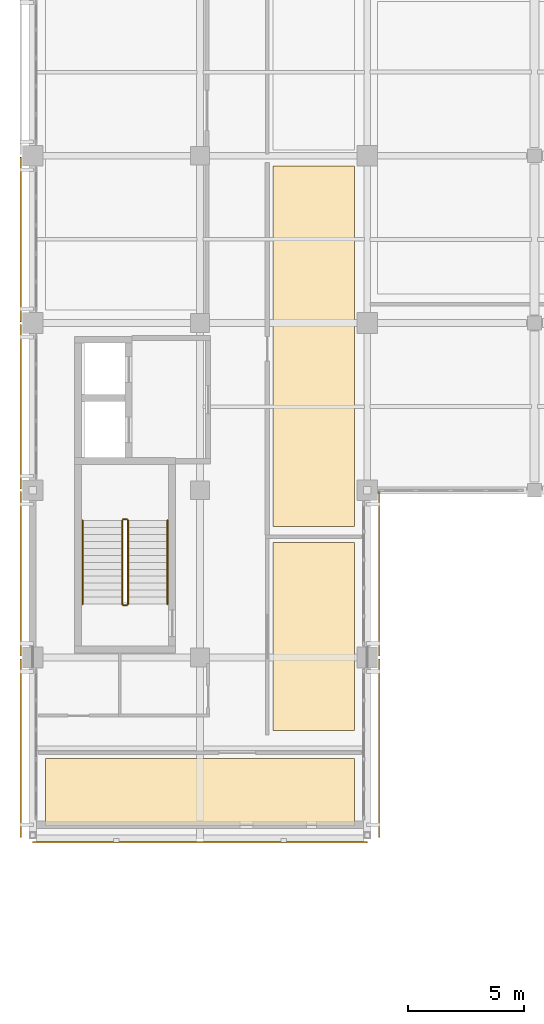
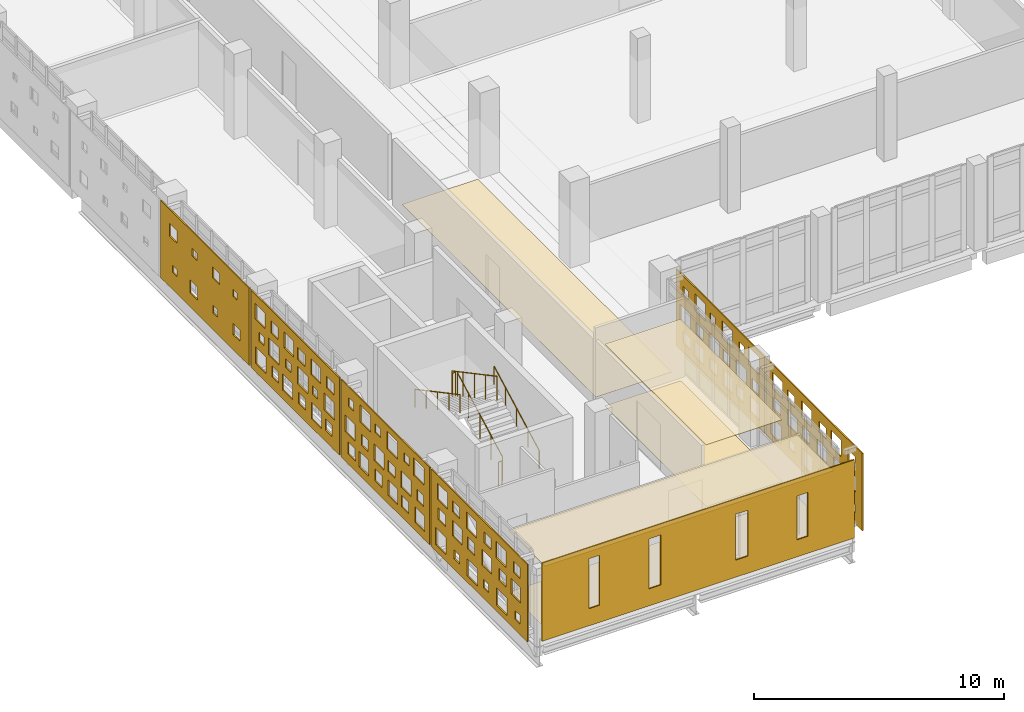
# One storey, part 55 of 62: 12 coverings, 6 railings.
"""IFC4 building model written with IfcOpenShell, lengths in metres."""

from ifc_helpers import new_model, si_unit, direction, frame, origin, origin_2d, place, context, subcontext, project, spatial, polyline, circle, outline, extrude, material, layer, layer_set, type_object, element, save


model = new_model("IFC4")

# Units and contexts
model_context = context("Model", 3, precision=1e-05, world=origin(), true_north=direction((0.0, 1.0)))
body_context = subcontext(model_context, "Body", "Model", "MODEL_VIEW")
ifc_project = project(units=[si_unit("LENGTHUNIT", "METRE"), si_unit("AREAUNIT", "SQUARE_METRE"), si_unit("VOLUMEUNIT", "CUBIC_METRE"), si_unit("PLANEANGLEUNIT", "RADIAN"), si_unit("MASSUNIT", "GRAM", prefix="KILO")], contexts=[model_context])

# Site, building, storey
site_placement = place(None, origin())
site = spatial("IfcSite", under=ifc_project, at=site_placement, CompositionType="ELEMENT")
building_placement = place(site_placement, origin())
building = spatial("IfcBuilding", under=site, at=building_placement, Name="Valkovuoma Quantum and Materials Research Institute", CompositionType="ELEMENT")
storey_placement = place(building_placement, frame((0.0, 0.0, 13.1201171875)))
storey = spatial("IfcBuildingStorey", under=building, at=storey_placement, Name="L03", CompositionType="ELEMENT", Elevation=13.1201171875)

# Coverings
ifc_material_1 = material(Name="Cleanable acoustic mineral-fibre suspended ceiling", Category="masonry")
ifc_layer_1 = layer(ifc_material_1, 0.02490234375)
ifc_layer_set_1 = layer_set([ifc_layer_1], Name="Cleanable acoustic mineral-fibre suspended ceiling")
covering_type_1 = type_object("IfcCoveringType", Name="Cov-CEIL-01", PredefinedType="CEILING", material=ifc_layer_set_1)
covering_1_placement = place(storey_placement, frame((0.0, 0.0, 3.0)))
element("IfcCovering", 1, at=covering_1_placement, inside=storey, type_object=covering_type_1, Name="L03 acoustic ceiling 0081", PredefinedType="CEILING", context=body_context, shape_type="SweptSolid", body=[
    extrude(outline(polyline([(0.550048828125, 21.550048828125), (13.85009765625, 21.550048828125), (13.85009765625, 24.449951171875), (0.550048828125, 24.449951171875), (0.550048828125, 21.550048828125)])), origin(), (0.0, 0.0, 1.0), 0.02490234375),
])
covering_2_placement = place(storey_placement, frame((0.0, 0.0, 3.0)))
element("IfcCovering", 2, at=covering_2_placement, inside=storey, type_object=covering_type_1, Name="L03 acoustic ceiling 0085", PredefinedType="CEILING", context=body_context, shape_type="SweptSolid", body=[
    extrude(outline(polyline([(10.35009765625, 25.64990234375), (13.85009765625, 25.64990234375), (13.85009765625, 33.75), (10.35009765625, 33.75), (10.35009765625, 25.64990234375)])), origin(), (0.0, 0.0, 1.0), 0.02490234375),
])
ifc_material_2 = material(Name="Seamless dissipative laboratory resin flooring", Category="masonry")
ifc_layer_2 = layer(ifc_material_2, 0.014892578125)
ifc_layer_set_2 = layer_set([ifc_layer_2], Name="Seamless dissipative laboratory resin flooring")
covering_type_2 = type_object("IfcCoveringType", Name="Cov-FLOR-01", PredefinedType="FLOORING", material=ifc_layer_set_2)
covering_3_placement = place(storey_placement, origin())
element("IfcCovering", 3, at=covering_3_placement, inside=storey, type_object=covering_type_2, Name="L03 resin flooring 0081", PredefinedType="FLOORING", context=body_context, shape_type="SweptSolid", body=[
    extrude(outline(polyline([(0.550048828125, 21.550048828125), (13.85009765625, 21.550048828125), (13.85009765625, 24.449951171875), (0.550048828125, 24.449951171875), (0.550048828125, 21.550048828125)])), origin(), (0.0, 0.0, 1.0), 0.014892578125),
])
covering_4_placement = place(storey_placement, origin())
element("IfcCovering", 4, at=covering_4_placement, inside=storey, type_object=covering_type_2, Name="L03 resin flooring 0085", PredefinedType="FLOORING", context=body_context, shape_type="SweptSolid", body=[
    extrude(outline(polyline([(10.35009765625, 25.64990234375), (13.85009765625, 25.64990234375), (13.85009765625, 33.75), (10.35009765625, 33.75), (10.35009765625, 25.64990234375)])), origin(), (0.0, 0.0, 1.0), 0.014892578125),
])
covering_5_placement = place(storey_placement, origin())
element("IfcCovering", 5, at=covering_5_placement, inside=storey, type_object=covering_type_2, Name="L03 resin flooring 0086", PredefinedType="FLOORING", context=body_context, shape_type="SweptSolid", body=[
    extrude(outline(polyline([(10.35009765625, 34.449951171875), (13.85009765625, 34.449951171875), (13.85009765625, 49.949951171875), (10.35009765625, 49.949951171875), (10.35009765625, 34.449951171875)])), origin(), (0.0, 0.0, 1.0), 0.014892578125),
])
ifc_material_3 = material(Name="White powder-coated aluminium architectural panel", Category="aluminium")
ifc_layer_3 = layer(ifc_material_3, 0.054931640625)
ifc_layer_set_3 = layer_set([ifc_layer_3], Name="White powder-coated aluminium architectural panel")
covering_type_3 = type_object("IfcCoveringType", Name="Cov-PERF-DENSE", PredefinedType="CLADDING", material=ifc_layer_set_3)
covering_6_placement = place(storey_placement, frame((-0.52001953125, 21.06005859375, 0.019775390625), z_axis=(0.0, 0.0, 1.0), x_axis=(0.0, 1.0, 0.0)))
element("IfcCovering", 6, at=covering_6_placement, inside=storey, type_object=covering_type_3, Name="L03 graduated perforated white screen W-0025", PredefinedType="CLADDING", context=body_context, shape_type="SweptSolid", body=[
    extrude(outline(polyline([(0.0, 0.0), (7.679931640625, 0.0), (7.679931640625, 3.77001953125), (0.0, 3.77001953125), (0.0, 0.0)]), holes=[polyline([(0.578369140625, 0.514892578125), (0.578369140625, 0.93505859375), (0.998291015625, 0.93505859375), (0.998291015625, 0.514892578125), (0.578369140625, 0.514892578125)]), polyline([(0.5283203125, 1.554931640625), (0.5283203125, 2.31494140625), (1.288330078125, 2.31494140625), (1.288330078125, 1.554931640625), (0.5283203125, 1.554931640625)]), polyline([(0.578369140625, 2.72509765625), (0.578369140625, 3.264892578125), (1.118408203125, 3.264892578125), (1.118408203125, 2.72509765625), (0.578369140625, 2.72509765625)]), polyline([(1.625, 0.304931640625), (1.625, 1.14501953125), (2.465087890625, 1.14501953125), (2.465087890625, 0.304931640625), (1.625, 0.304931640625)]), polyline([(1.695068359375, 1.64501953125), (1.695068359375, 2.22509765625), (2.27490234375, 2.22509765625), (2.27490234375, 1.64501953125), (1.695068359375, 1.64501953125)]), polyline([(1.705078125, 2.594970703125), (1.705078125, 3.39501953125), (2.5048828125, 3.39501953125), (2.5048828125, 2.594970703125), (1.705078125, 2.594970703125)]), polyline([(3.091796875, 0.514892578125), (3.091796875, 0.93505859375), (3.51171875, 0.93505859375), (3.51171875, 0.514892578125), (3.091796875, 0.514892578125)]), polyline([(2.86181640625, 1.554931640625), (2.86181640625, 2.31494140625), (3.62158203125, 2.31494140625), (3.62158203125, 1.554931640625), (2.86181640625, 1.554931640625)]), polyline([(2.91162109375, 2.72509765625), (2.91162109375, 3.264892578125), (3.45166015625, 3.264892578125), (3.45166015625, 2.72509765625), (2.91162109375, 2.72509765625)]), polyline([(3.958251953125, 0.304931640625), (3.958251953125, 1.14501953125), (4.79833984375, 1.14501953125), (4.79833984375, 0.304931640625), (3.958251953125, 0.304931640625)]), polyline([(4.208251953125, 1.64501953125), (4.208251953125, 2.22509765625), (4.788330078125, 2.22509765625), (4.788330078125, 1.64501953125), (4.208251953125, 1.64501953125)]), polyline([(4.038330078125, 2.594970703125), (4.038330078125, 3.39501953125), (4.83837890625, 3.39501953125), (4.83837890625, 2.594970703125), (4.038330078125, 2.594970703125)]), polyline([(5.425048828125, 0.514892578125), (5.425048828125, 0.93505859375), (5.844970703125, 0.93505859375), (5.844970703125, 0.514892578125), (5.425048828125, 0.514892578125)]), polyline([(5.195068359375, 1.554931640625), (5.195068359375, 2.31494140625), (5.955078125, 2.31494140625), (5.955078125, 1.554931640625), (5.195068359375, 1.554931640625)]), polyline([(5.425048828125, 2.72509765625), (5.425048828125, 3.264892578125), (5.965087890625, 3.264892578125), (5.965087890625, 2.72509765625), (5.425048828125, 2.72509765625)]), polyline([(6.4716796875, 0.304931640625), (6.4716796875, 1.14501953125), (7.311767578125, 1.14501953125), (7.311767578125, 0.304931640625), (6.4716796875, 0.304931640625)]), polyline([(6.541748046875, 1.64501953125), (6.541748046875, 2.22509765625), (7.12158203125, 2.22509765625), (7.12158203125, 1.64501953125), (6.541748046875, 1.64501953125)]), polyline([(6.37158203125, 2.594970703125), (6.37158203125, 3.39501953125), (7.171630859375, 3.39501953125), (7.171630859375, 2.594970703125), (6.37158203125, 2.594970703125)])]), frame((0.0, 0.02734375, 0.0), z_axis=(0.0, -1.0, 0.0), x_axis=(1.0, 0.0, 0.0)), (0.0, 0.0, 1.0), 0.054931640625),
])
covering_7_placement = place(storey_placement, frame((14.919921875, 21.06005859375, 0.019775390625), z_axis=(0.0, 0.0, 1.0), x_axis=(0.0, 1.0, 0.0)))
element("IfcCovering", 7, at=covering_7_placement, inside=storey, type_object=covering_type_3, Name="L03 graduated perforated white screen E-0026", PredefinedType="CLADDING", context=body_context, shape_type="SweptSolid", body=[
    extrude(outline(polyline([(0.0, 0.0), (7.679931640625, 0.0), (7.679931640625, 3.77001953125), (0.0, 3.77001953125), (0.0, 0.0)]), holes=[polyline([(0.578369140625, 0.514892578125), (0.578369140625, 0.93505859375), (0.998291015625, 0.93505859375), (0.998291015625, 0.514892578125), (0.578369140625, 0.514892578125)]), polyline([(0.5283203125, 1.554931640625), (0.5283203125, 2.31494140625), (1.288330078125, 2.31494140625), (1.288330078125, 1.554931640625), (0.5283203125, 1.554931640625)]), polyline([(0.578369140625, 2.72509765625), (0.578369140625, 3.264892578125), (1.118408203125, 3.264892578125), (1.118408203125, 2.72509765625), (0.578369140625, 2.72509765625)]), polyline([(1.625, 0.304931640625), (1.625, 1.14501953125), (2.465087890625, 1.14501953125), (2.465087890625, 0.304931640625), (1.625, 0.304931640625)]), polyline([(1.695068359375, 1.64501953125), (1.695068359375, 2.22509765625), (2.27490234375, 2.22509765625), (2.27490234375, 1.64501953125), (1.695068359375, 1.64501953125)]), polyline([(1.705078125, 2.594970703125), (1.705078125, 3.39501953125), (2.5048828125, 3.39501953125), (2.5048828125, 2.594970703125), (1.705078125, 2.594970703125)]), polyline([(3.091796875, 0.514892578125), (3.091796875, 0.93505859375), (3.51171875, 0.93505859375), (3.51171875, 0.514892578125), (3.091796875, 0.514892578125)]), polyline([(2.86181640625, 1.554931640625), (2.86181640625, 2.31494140625), (3.62158203125, 2.31494140625), (3.62158203125, 1.554931640625), (2.86181640625, 1.554931640625)]), polyline([(2.91162109375, 2.72509765625), (2.91162109375, 3.264892578125), (3.45166015625, 3.264892578125), (3.45166015625, 2.72509765625), (2.91162109375, 2.72509765625)]), polyline([(3.958251953125, 0.304931640625), (3.958251953125, 1.14501953125), (4.79833984375, 1.14501953125), (4.79833984375, 0.304931640625), (3.958251953125, 0.304931640625)]), polyline([(4.208251953125, 1.64501953125), (4.208251953125, 2.22509765625), (4.788330078125, 2.22509765625), (4.788330078125, 1.64501953125), (4.208251953125, 1.64501953125)]), polyline([(4.038330078125, 2.594970703125), (4.038330078125, 3.39501953125), (4.83837890625, 3.39501953125), (4.83837890625, 2.594970703125), (4.038330078125, 2.594970703125)]), polyline([(5.425048828125, 0.514892578125), (5.425048828125, 0.93505859375), (5.844970703125, 0.93505859375), (5.844970703125, 0.514892578125), (5.425048828125, 0.514892578125)]), polyline([(5.195068359375, 1.554931640625), (5.195068359375, 2.31494140625), (5.955078125, 2.31494140625), (5.955078125, 1.554931640625), (5.195068359375, 1.554931640625)]), polyline([(5.425048828125, 2.72509765625), (5.425048828125, 3.264892578125), (5.965087890625, 3.264892578125), (5.965087890625, 2.72509765625), (5.425048828125, 2.72509765625)]), polyline([(6.4716796875, 0.304931640625), (6.4716796875, 1.14501953125), (7.311767578125, 1.14501953125), (7.311767578125, 0.304931640625), (6.4716796875, 0.304931640625)]), polyline([(6.541748046875, 1.64501953125), (6.541748046875, 2.22509765625), (7.12158203125, 2.22509765625), (7.12158203125, 1.64501953125), (6.541748046875, 1.64501953125)]), polyline([(6.37158203125, 2.594970703125), (6.37158203125, 3.39501953125), (7.171630859375, 3.39501953125), (7.171630859375, 2.594970703125), (6.37158203125, 2.594970703125)])]), frame((0.0, 0.02734375, 0.0), z_axis=(0.0, -1.0, 0.0), x_axis=(1.0, 0.0, 0.0)), (0.0, 0.0, 1.0), 0.054931640625),
])
covering_8_placement = place(storey_placement, frame((-0.52001953125, 28.860107421875, 0.019775390625), z_axis=(0.0, 0.0, 1.0), x_axis=(0.0, 1.0, 0.0)))
element("IfcCovering", 8, at=covering_8_placement, inside=storey, type_object=covering_type_3, Name="L03 graduated perforated white screen W-0027", PredefinedType="CLADDING", context=body_context, shape_type="SweptSolid", body=[
    extrude(outline(polyline([(0.0, 0.0), (7.079833984375, 0.0), (7.079833984375, 3.77001953125), (0.0, 3.77001953125), (0.0, 0.0)]), holes=[polyline([(0.418212890625, 0.39501953125), (0.418212890625, 1.155029296875), (1.17822265625, 1.155029296875), (1.17822265625, 0.39501953125), (0.418212890625, 0.39501953125)]), polyline([(0.46826171875, 1.56494140625), (0.46826171875, 2.10498046875), (1.00830078125, 2.10498046875), (1.00830078125, 1.56494140625), (0.46826171875, 1.56494140625)]), polyline([(0.438232421875, 2.625), (0.438232421875, 3.465087890625), (1.2783203125, 3.465087890625), (1.2783203125, 2.625), (0.438232421875, 2.625)]), polyline([(1.6650390625, 0.485107421875), (1.6650390625, 1.06494140625), (2.2451171875, 1.06494140625), (2.2451171875, 0.485107421875), (1.6650390625, 0.485107421875)]), polyline([(1.4951171875, 1.43505859375), (1.4951171875, 2.235107421875), (2.294921875, 2.235107421875), (2.294921875, 1.43505859375), (1.4951171875, 1.43505859375)]), polyline([(1.625, 2.8349609375), (1.625, 3.2548828125), (2.044921875, 3.2548828125), (2.044921875, 2.8349609375), (1.625, 2.8349609375)]), polyline([(2.5517578125, 0.39501953125), (2.5517578125, 1.155029296875), (3.311767578125, 1.155029296875), (3.311767578125, 0.39501953125), (2.5517578125, 0.39501953125)]), polyline([(2.78173828125, 1.56494140625), (2.78173828125, 2.10498046875), (3.32177734375, 2.10498046875), (3.32177734375, 1.56494140625), (2.78173828125, 1.56494140625)]), polyline([(2.57177734375, 2.625), (2.57177734375, 3.465087890625), (3.41162109375, 3.465087890625), (3.41162109375, 2.625), (2.57177734375, 2.625)]), polyline([(3.79833984375, 0.485107421875), (3.79833984375, 1.06494140625), (4.37841796875, 1.06494140625), (4.37841796875, 0.485107421875), (3.79833984375, 0.485107421875)]), polyline([(3.62841796875, 1.43505859375), (3.62841796875, 2.235107421875), (4.42822265625, 2.235107421875), (4.42822265625, 1.43505859375), (3.62841796875, 1.43505859375)]), polyline([(3.938232421875, 2.8349609375), (3.938232421875, 3.2548828125), (4.3583984375, 3.2548828125), (4.3583984375, 2.8349609375), (3.938232421875, 2.8349609375)]), polyline([(4.864990234375, 0.39501953125), (4.864990234375, 1.155029296875), (5.625, 1.155029296875), (5.625, 0.39501953125), (4.864990234375, 0.39501953125)]), polyline([(4.9150390625, 1.56494140625), (4.9150390625, 2.10498046875), (5.455078125, 2.10498046875), (5.455078125, 1.56494140625), (4.9150390625, 1.56494140625)]), polyline([(4.705078125, 2.625), (4.705078125, 3.465087890625), (5.544921875, 3.465087890625), (5.544921875, 2.625), (4.705078125, 2.625)]), polyline([(5.931640625, 0.485107421875), (5.931640625, 1.06494140625), (6.51171875, 1.06494140625), (6.51171875, 0.485107421875), (5.931640625, 0.485107421875)]), polyline([(5.941650390625, 1.43505859375), (5.941650390625, 2.235107421875), (6.74169921875, 2.235107421875), (6.74169921875, 1.43505859375), (5.941650390625, 1.43505859375)]), polyline([(6.07177734375, 2.8349609375), (6.07177734375, 3.2548828125), (6.49169921875, 3.2548828125), (6.49169921875, 2.8349609375), (6.07177734375, 2.8349609375)])]), frame((0.0, 0.02734375, 0.0), z_axis=(0.0, -1.0, 0.0), x_axis=(1.0, 0.0, 0.0)), (0.0, 0.0, 1.0), 0.054931640625),
])
covering_9_placement = place(storey_placement, frame((14.919921875, 28.860107421875, 0.019775390625), z_axis=(0.0, 0.0, 1.0), x_axis=(0.0, 1.0, 0.0)))
element("IfcCovering", 9, at=covering_9_placement, inside=storey, type_object=covering_type_3, Name="L03 graduated perforated white screen E-0028", PredefinedType="CLADDING", context=body_context, shape_type="SweptSolid", body=[
    extrude(outline(polyline([(0.0, 0.0), (7.079833984375, 0.0), (7.079833984375, 3.77001953125), (0.0, 3.77001953125), (0.0, 0.0)]), holes=[polyline([(0.418212890625, 0.39501953125), (0.418212890625, 1.155029296875), (1.17822265625, 1.155029296875), (1.17822265625, 0.39501953125), (0.418212890625, 0.39501953125)]), polyline([(0.46826171875, 1.56494140625), (0.46826171875, 2.10498046875), (1.00830078125, 2.10498046875), (1.00830078125, 1.56494140625), (0.46826171875, 1.56494140625)]), polyline([(0.438232421875, 2.625), (0.438232421875, 3.465087890625), (1.2783203125, 3.465087890625), (1.2783203125, 2.625), (0.438232421875, 2.625)]), polyline([(1.6650390625, 0.485107421875), (1.6650390625, 1.06494140625), (2.2451171875, 1.06494140625), (2.2451171875, 0.485107421875), (1.6650390625, 0.485107421875)]), polyline([(1.4951171875, 1.43505859375), (1.4951171875, 2.235107421875), (2.294921875, 2.235107421875), (2.294921875, 1.43505859375), (1.4951171875, 1.43505859375)]), polyline([(1.625, 2.8349609375), (1.625, 3.2548828125), (2.044921875, 3.2548828125), (2.044921875, 2.8349609375), (1.625, 2.8349609375)]), polyline([(2.5517578125, 0.39501953125), (2.5517578125, 1.155029296875), (3.311767578125, 1.155029296875), (3.311767578125, 0.39501953125), (2.5517578125, 0.39501953125)]), polyline([(2.78173828125, 1.56494140625), (2.78173828125, 2.10498046875), (3.32177734375, 2.10498046875), (3.32177734375, 1.56494140625), (2.78173828125, 1.56494140625)]), polyline([(2.57177734375, 2.625), (2.57177734375, 3.465087890625), (3.41162109375, 3.465087890625), (3.41162109375, 2.625), (2.57177734375, 2.625)]), polyline([(3.79833984375, 0.485107421875), (3.79833984375, 1.06494140625), (4.37841796875, 1.06494140625), (4.37841796875, 0.485107421875), (3.79833984375, 0.485107421875)]), polyline([(3.62841796875, 1.43505859375), (3.62841796875, 2.235107421875), (4.42822265625, 2.235107421875), (4.42822265625, 1.43505859375), (3.62841796875, 1.43505859375)]), polyline([(3.938232421875, 2.8349609375), (3.938232421875, 3.2548828125), (4.3583984375, 3.2548828125), (4.3583984375, 2.8349609375), (3.938232421875, 2.8349609375)]), polyline([(4.864990234375, 0.39501953125), (4.864990234375, 1.155029296875), (5.625, 1.155029296875), (5.625, 0.39501953125), (4.864990234375, 0.39501953125)]), polyline([(4.9150390625, 1.56494140625), (4.9150390625, 2.10498046875), (5.455078125, 2.10498046875), (5.455078125, 1.56494140625), (4.9150390625, 1.56494140625)]), polyline([(4.705078125, 2.625), (4.705078125, 3.465087890625), (5.544921875, 3.465087890625), (5.544921875, 2.625), (4.705078125, 2.625)]), polyline([(5.931640625, 0.485107421875), (5.931640625, 1.06494140625), (6.51171875, 1.06494140625), (6.51171875, 0.485107421875), (5.931640625, 0.485107421875)]), polyline([(5.941650390625, 1.43505859375), (5.941650390625, 2.235107421875), (6.74169921875, 2.235107421875), (6.74169921875, 1.43505859375), (5.941650390625, 1.43505859375)]), polyline([(6.07177734375, 2.8349609375), (6.07177734375, 3.2548828125), (6.49169921875, 3.2548828125), (6.49169921875, 2.8349609375), (6.07177734375, 2.8349609375)])]), frame((0.0, 0.02734375, 0.0), z_axis=(0.0, -1.0, 0.0), x_axis=(1.0, 0.0, 0.0)), (0.0, 0.0, 1.0), 0.054931640625),
])
covering_10_placement = place(storey_placement, frame((-0.52001953125, 36.06005859375, 0.019775390625), z_axis=(0.0, 0.0, 1.0), x_axis=(0.0, 1.0, 0.0)))
element("IfcCovering", 10, at=covering_10_placement, inside=storey, type_object=covering_type_3, Name="L03 graduated perforated white screen W-0029", PredefinedType="CLADDING", context=body_context, shape_type="SweptSolid", body=[
    extrude(outline(polyline([(0.0, 0.0), (7.079833984375, 0.0), (7.079833984375, 3.77001953125), (0.0, 3.77001953125), (0.0, 0.0)]), holes=[polyline([(0.58837890625, 0.554931640625), (0.58837890625, 1.094970703125), (1.12841796875, 1.094970703125), (1.12841796875, 0.554931640625), (0.58837890625, 0.554931640625)]), polyline([(0.37841796875, 1.465087890625), (0.37841796875, 2.304931640625), (1.21826171875, 2.304931640625), (1.21826171875, 1.465087890625), (0.37841796875, 1.465087890625)]), polyline([(0.4482421875, 2.655029296875), (0.4482421875, 3.235107421875), (1.0283203125, 3.235107421875), (1.0283203125, 2.655029296875), (0.4482421875, 2.655029296875)]), polyline([(1.43505859375, 0.425048828125), (1.43505859375, 1.22509765625), (2.235107421875, 1.22509765625), (2.235107421875, 0.425048828125), (1.43505859375, 0.425048828125)]), polyline([(1.7451171875, 1.675048828125), (1.7451171875, 2.094970703125), (2.1650390625, 2.094970703125), (2.1650390625, 1.675048828125), (1.7451171875, 1.675048828125)]), polyline([(1.514892578125, 2.56494140625), (1.514892578125, 3.324951171875), (2.27490234375, 3.324951171875), (2.27490234375, 2.56494140625), (1.514892578125, 2.56494140625)]), polyline([(2.7216796875, 0.554931640625), (2.7216796875, 1.094970703125), (3.26171875, 1.094970703125), (3.26171875, 0.554931640625), (2.7216796875, 0.554931640625)]), polyline([(2.51171875, 1.465087890625), (2.51171875, 2.304931640625), (3.351806640625, 2.304931640625), (3.351806640625, 1.465087890625), (2.51171875, 1.465087890625)]), polyline([(2.76171875, 2.655029296875), (2.76171875, 3.235107421875), (3.341796875, 3.235107421875), (3.341796875, 2.655029296875), (2.76171875, 2.655029296875)]), polyline([(3.748291015625, 0.425048828125), (3.748291015625, 1.22509765625), (4.54833984375, 1.22509765625), (4.54833984375, 0.425048828125), (3.748291015625, 0.425048828125)]), polyline([(3.87841796875, 1.675048828125), (3.87841796875, 2.094970703125), (4.29833984375, 2.094970703125), (4.29833984375, 1.675048828125), (3.87841796875, 1.675048828125)]), polyline([(3.648193359375, 2.56494140625), (3.648193359375, 3.324951171875), (4.408203125, 3.324951171875), (4.408203125, 2.56494140625), (3.648193359375, 2.56494140625)]), polyline([(4.85498046875, 0.554931640625), (4.85498046875, 1.094970703125), (5.39501953125, 1.094970703125), (5.39501953125, 0.554931640625), (4.85498046875, 0.554931640625)]), polyline([(4.824951171875, 1.465087890625), (4.824951171875, 2.304931640625), (5.6650390625, 2.304931640625), (5.6650390625, 1.465087890625), (4.824951171875, 1.465087890625)]), polyline([(4.89501953125, 2.655029296875), (4.89501953125, 3.235107421875), (5.47509765625, 3.235107421875), (5.47509765625, 2.655029296875), (4.89501953125, 2.655029296875)]), polyline([(5.881591796875, 0.425048828125), (5.881591796875, 1.22509765625), (6.681640625, 1.22509765625), (6.681640625, 0.425048828125), (5.881591796875, 0.425048828125)]), polyline([(6.01171875, 1.675048828125), (6.01171875, 2.094970703125), (6.431640625, 2.094970703125), (6.431640625, 1.675048828125), (6.01171875, 1.675048828125)]), polyline([(5.961669921875, 2.56494140625), (5.961669921875, 3.324951171875), (6.7216796875, 3.324951171875), (6.7216796875, 2.56494140625), (5.961669921875, 2.56494140625)])]), frame((0.0, 0.02734375, 0.0), z_axis=(0.0, -1.0, 0.0), x_axis=(1.0, 0.0, 0.0)), (0.0, 0.0, 1.0), 0.054931640625),
])
ifc_material_4 = material(Name="White powder-coated aluminium architectural panel", Category="aluminium")
ifc_layer_4 = layer(ifc_material_4, 0.054931640625)
ifc_layer_set_4 = layer_set([ifc_layer_4], Name="White powder-coated aluminium architectural panel")
covering_type_4 = type_object("IfcCoveringType", Name="Cov-PERF-MID", PredefinedType="CLADDING", material=ifc_layer_set_4)
covering_11_placement = place(storey_placement, frame((-0.52001953125, 43.260009765625, 0.019775390625), z_axis=(0.0, 0.0, 1.0), x_axis=(0.0, 1.0, 0.0)))
element("IfcCovering", 11, at=covering_11_placement, inside=storey, type_object=covering_type_4, Name="L03 graduated perforated white screen W-0030", PredefinedType="CLADDING", context=body_context, shape_type="SweptSolid", body=[
    extrude(outline(polyline([(0.0, 0.0), (7.080078125, 0.0), (7.080078125, 3.77001953125), (0.0, 3.77001953125), (0.0, 0.0)]), holes=[polyline([(0.742431640625, 0.732421875), (0.742431640625, 1.2724609375), (1.282470703125, 1.2724609375), (1.282470703125, 0.732421875), (0.742431640625, 0.732421875)]), polyline([(0.96240234375, 2.597412109375), (0.96240234375, 2.9375), (1.302490234375, 2.9375), (1.302490234375, 2.597412109375), (0.96240234375, 2.597412109375)]), polyline([(2.527587890625, 0.8125), (2.527587890625, 1.1923828125), (2.907470703125, 1.1923828125), (2.907470703125, 0.8125), (2.527587890625, 0.8125)]), polyline([(2.387451171875, 2.49755859375), (2.387451171875, 3.03759765625), (2.927490234375, 3.03759765625), (2.927490234375, 2.49755859375), (2.387451171875, 2.49755859375)]), polyline([(4.112548828125, 0.6923828125), (4.112548828125, 1.3125), (4.732421875, 1.3125), (4.732421875, 0.6923828125), (4.112548828125, 0.6923828125)]), polyline([(4.172607421875, 2.577392578125), (4.172607421875, 2.95751953125), (4.552490234375, 2.95751953125), (4.552490234375, 2.577392578125), (4.172607421875, 2.577392578125)]), polyline([(5.777587890625, 0.83251953125), (5.777587890625, 1.172607421875), (6.117431640625, 1.172607421875), (6.117431640625, 0.83251953125), (5.777587890625, 0.83251953125)]), polyline([(5.757568359375, 2.45751953125), (5.757568359375, 3.077392578125), (6.37744140625, 3.077392578125), (6.37744140625, 2.45751953125), (5.757568359375, 2.45751953125)])]), frame((0.0, 0.02734375, 0.0), z_axis=(0.0, -1.0, 0.0), x_axis=(1.0, 0.0, 0.0)), (0.0, 0.0, 1.0), 0.054931640625),
])
ifc_material_5 = material(Name="White powder-coated aluminium architectural panel", Category="aluminium")
ifc_layer_5 = layer(ifc_material_5, 0.054931640625)
ifc_layer_set_5 = layer_set([ifc_layer_5], Name="White powder-coated aluminium architectural panel")
covering_type_5 = type_object("IfcCoveringType", Name="Cov-WHITE-01", PredefinedType="CLADDING", material=ifc_layer_set_5)
covering_12_placement = place(storey_placement, frame((0.0, 20.85009765625, 0.0), z_axis=(0.0, 0.0, 1.0), x_axis=(1.0, 0.0, 0.0)))
element("IfcCovering", 12, at=covering_12_placement, inside=storey, type_object=covering_type_5, Name="L03 south white slot-window end skin", PredefinedType="CLADDING", context=body_context, shape_type="SweptSolid", body=[
    extrude(outline(polyline([(0.0, 0.0), (14.39990234375, 0.0), (14.39990234375, 3.809814453125), (0.0, 3.809814453125), (0.0, 0.0)]), holes=[polyline([(2.155029296875, 0.830078125), (2.155029296875, 3.27001953125), (2.64501953125, 3.27001953125), (2.64501953125, 0.830078125), (2.155029296875, 0.830078125)]), polyline([(4.929931640625, 0.830078125), (4.929931640625, 3.27001953125), (5.469970703125, 3.27001953125), (5.469970703125, 0.830078125), (4.929931640625, 0.830078125)]), polyline([(8.905029296875, 0.830078125), (8.905029296875, 3.070068359375), (9.4951171875, 3.070068359375), (9.4951171875, 0.830078125), (8.905029296875, 0.830078125)]), polyline([(11.7548828125, 0.830078125), (11.7548828125, 2.969970703125), (12.2451171875, 2.969970703125), (12.2451171875, 0.830078125), (11.7548828125, 0.830078125)])]), frame((0.0, 0.02734375, 0.0), z_axis=(0.0, -1.0, 0.0), x_axis=(1.0, 0.0, 0.0)), (0.0, 0.0, 1.0), 0.054931640625),
])

# Railings
ifc_material_6 = material(Name="Painted steel stair balustrade", Category="steel")
railing_type_1 = type_object("IfcRailingType", Name="Rail-GRD-ST", PredefinedType="BALUSTRADE", material=ifc_material_6)
railing_1_placement = place(storey_placement, frame((4.10009765625, 31.10009765625, 0.159912109375)))
element("IfcRailing", 13, at=railing_1_placement, inside=storey, type_object=railing_type_1, Name="L03 ST-1 stair guard 1", PredefinedType="BALUSTRADE", context=body_context, shape_type="SweptSolid", body=[
    extrude(circle(Radius=0.02392578125, at=origin_2d()), frame((0.0, 0.0, 1.17578125), z_axis=(0.0, 0.882352941176, 0.470588235294), x_axis=(-1.0, 0.0, 0.0)), (0.0, 0.0, 1.0), 4.079833984375),
    extrude(circle(Radius=0.02099609375, at=origin_2d()), origin(), (0.0, 0.0, 1.0), 1.15185546875),
    extrude(circle(Radius=0.02099609375, at=origin_2d()), frame((0.0, 0.89990234375, 0.47998046875)), (0.0, 0.0, 1.0), 1.15185546875),
    extrude(circle(Radius=0.02099609375, at=origin_2d()), frame((0.0, 1.7998046875, 0.9599609375)), (0.0, 0.0, 1.0), 1.15185546875),
    extrude(circle(Radius=0.02099609375, at=origin_2d()), frame((0.0, 2.699951171875, 1.43994140625)), (0.0, 0.0, 1.0), 1.15185546875),
    extrude(circle(Radius=0.02099609375, at=origin_2d()), frame((0.0, 3.599853515625, 1.919921875)), (0.0, 0.0, 1.0), 1.15185546875),
])
railing_2_placement = place(storey_placement, frame((4.050048828125, 34.75, 2.079833984375)))
element("IfcRailing", 14, at=railing_2_placement, inside=storey, type_object=railing_type_1, Name="L03 ST-1 stair guard 2", PredefinedType="BALUSTRADE", context=body_context, shape_type="SweptSolid", body=[
    extrude(circle(Radius=0.02392578125, at=origin_2d()), frame((0.0, 0.0, 1.17578125), z_axis=(-1.0, 0.0, 0.0), x_axis=(0.0, -1.0, 0.0)), (0.0, 0.0, 1.0), 0.150146484375),
    extrude(circle(Radius=0.02099609375, at=origin_2d()), origin(), (0.0, 0.0, 1.0), 1.15185546875),
    extrude(circle(Radius=0.02099609375, at=origin_2d()), frame((-0.150146484375, 0.0, 0.0)), (0.0, 0.0, 1.0), 1.15185546875),
])
railing_3_placement = place(storey_placement, frame((3.85009765625, 34.699951171875, 2.239990234375)))
element("IfcRailing", 15, at=railing_3_placement, inside=storey, type_object=railing_type_1, Name="L03 ST-1 stair guard 3", PredefinedType="BALUSTRADE", context=body_context, shape_type="SweptSolid", body=[
    extrude(circle(Radius=0.02392578125, at=origin_2d()), frame((0.0, 0.0, 1.17578125), z_axis=(0.0, -0.882352941176, 0.470588235294), x_axis=(1.0, 0.0, 0.0)), (0.0, 0.0, 1.0), 4.079833984375),
    extrude(circle(Radius=0.02099609375, at=origin_2d()), origin(), (0.0, 0.0, 1.0), 1.15185546875),
    extrude(circle(Radius=0.02099609375, at=origin_2d()), frame((0.0, -0.89990234375, 0.47998046875)), (0.0, 0.0, 1.0), 1.15185546875),
    extrude(circle(Radius=0.02099609375, at=origin_2d()), frame((0.0, -1.7998046875, 0.9599609375)), (0.0, 0.0, 1.0), 1.15185546875),
    extrude(circle(Radius=0.02099609375, at=origin_2d()), frame((0.0, -2.699951171875, 1.43994140625)), (0.0, 0.0, 1.0), 1.15185546875),
    extrude(circle(Radius=0.02099609375, at=origin_2d()), frame((0.0, -3.599853515625, 1.919921875)), (0.0, 0.0, 1.0), 1.15185546875),
])
railing_4_placement = place(storey_placement, frame((4.050048828125, 31.050048828125, 0.0)))
element("IfcRailing", 16, at=railing_4_placement, inside=storey, type_object=railing_type_1, Name="L03 ST-1 stair guard 4", PredefinedType="BALUSTRADE", context=body_context, shape_type="SweptSolid", body=[
    extrude(circle(Radius=0.02392578125, at=origin_2d()), frame((0.0, 0.0, 1.17578125), z_axis=(-1.0, 0.0, 0.0), x_axis=(0.0, -1.0, 0.0)), (0.0, 0.0, 1.0), 0.150146484375),
    extrude(circle(Radius=0.02099609375, at=origin_2d()), origin(), (0.0, 0.0, 1.0), 1.15185546875),
    extrude(circle(Radius=0.02099609375, at=origin_2d()), frame((-0.150146484375, 0.0, 0.0)), (0.0, 0.0, 1.0), 1.15185546875),
])
ifc_material_7 = material(Name="Brushed stainless steel handrail", Category="steel")
railing_type_2 = type_object("IfcRailingType", Name="Rail-HR-ST", PredefinedType="HANDRAIL", material=ifc_material_7)
railing_5_placement = place(storey_placement, frame((5.800048828125, 31.10009765625, 0.159912109375)))
element("IfcRailing", 17, at=railing_5_placement, inside=storey, type_object=railing_type_2, Name="L03 ST-1 stair handrail 1", PredefinedType="HANDRAIL", context=body_context, shape_type="SweptSolid", body=[
    extrude(circle(Radius=0.02392578125, at=origin_2d()), frame((0.0, 0.0, 0.8759765625), z_axis=(0.0, 0.882352941176, 0.470588235294), x_axis=(-1.0, 0.0, 0.0)), (0.0, 0.0, 1.0), 4.079833984375),
    extrude(circle(Radius=0.02099609375, at=origin_2d()), origin(), (0.0, 0.0, 1.0), 0.851806640625),
    extrude(circle(Radius=0.02099609375, at=origin_2d()), frame((0.0, 0.89990234375, 0.47998046875)), (0.0, 0.0, 1.0), 0.851806640625),
    extrude(circle(Radius=0.02099609375, at=origin_2d()), frame((0.0, 1.7998046875, 0.9599609375)), (0.0, 0.0, 1.0), 0.851806640625),
    extrude(circle(Radius=0.02099609375, at=origin_2d()), frame((0.0, 2.699951171875, 1.43994140625)), (0.0, 0.0, 1.0), 0.851806640625),
    extrude(circle(Radius=0.02099609375, at=origin_2d()), frame((0.0, 3.599853515625, 1.919921875)), (0.0, 0.0, 1.0), 0.851806640625),
])
railing_6_placement = place(storey_placement, frame((2.14990234375, 34.699951171875, 2.239990234375)))
element("IfcRailing", 18, at=railing_6_placement, inside=storey, type_object=railing_type_2, Name="L03 ST-1 stair handrail 2", PredefinedType="HANDRAIL", context=body_context, shape_type="SweptSolid", body=[
    extrude(circle(Radius=0.02392578125, at=origin_2d()), frame((0.0, 0.0, 0.8759765625), z_axis=(0.0, -0.882352941176, 0.470588235294), x_axis=(1.0, 0.0, 0.0)), (0.0, 0.0, 1.0), 4.079833984375),
    extrude(circle(Radius=0.02099609375, at=origin_2d()), origin(), (0.0, 0.0, 1.0), 0.851806640625),
    extrude(circle(Radius=0.02099609375, at=origin_2d()), frame((0.0, -0.89990234375, 0.47998046875)), (0.0, 0.0, 1.0), 0.851806640625),
    extrude(circle(Radius=0.02099609375, at=origin_2d()), frame((0.0, -1.7998046875, 0.9599609375)), (0.0, 0.0, 1.0), 0.851806640625),
    extrude(circle(Radius=0.02099609375, at=origin_2d()), frame((0.0, -2.699951171875, 1.43994140625)), (0.0, 0.0, 1.0), 0.851806640625),
    extrude(circle(Radius=0.02099609375, at=origin_2d()), frame((0.0, -3.599853515625, 1.919921875)), (0.0, 0.0, 1.0), 0.851806640625),
])

save(model, "model.ifc")
